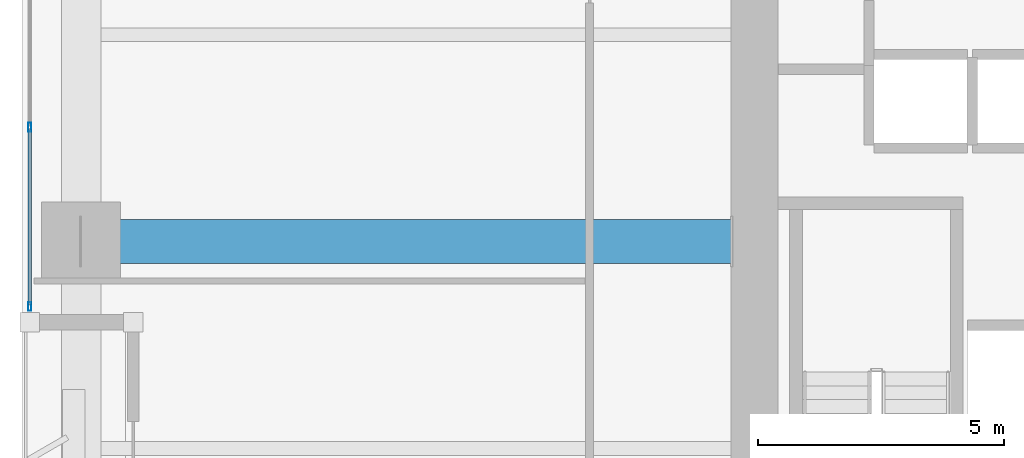
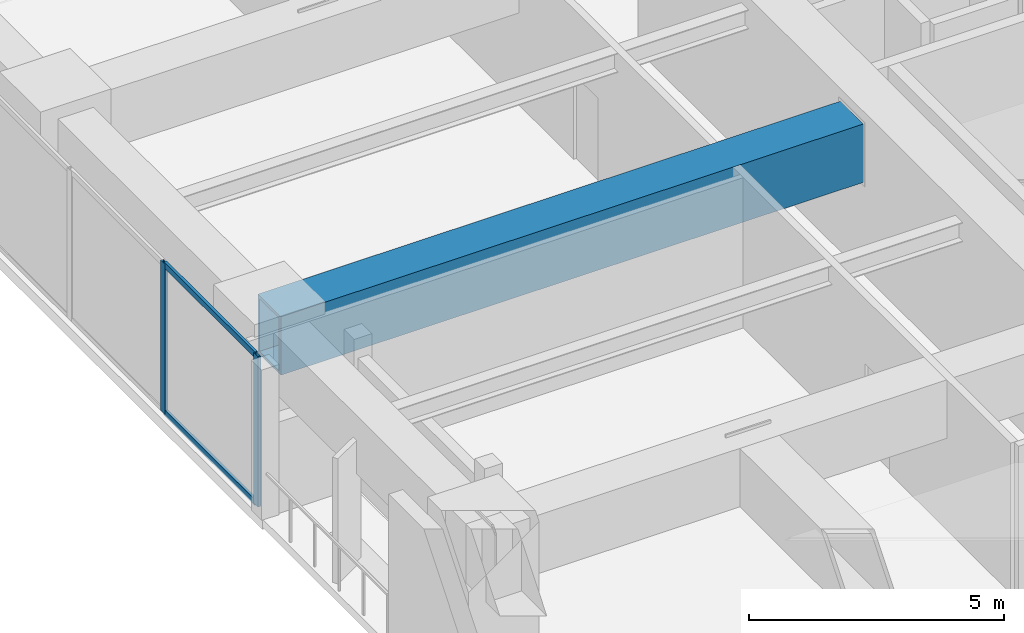
# One storey, part 2 of 28: 4 members, 1 beam, 1 element without a shape of its own.
"""IFC4 building model written with IfcOpenShell, lengths in metres."""

from ifc_helpers import new_model, si_unit, direction, frame, origin, origin_2d, place, context, subcontext, project, spatial, hollow_rectangle, extrude, material, layer, layer_set, material_profile, profile_set, type_object, element, aggregate, save


model = new_model("IFC4")

# Units and contexts
model_context = context("Model", 3, precision=1e-05, world=origin(), true_north=direction((0.0, 1.0)))
body_context = subcontext(model_context, "Body", "Model", "MODEL_VIEW")
ifc_project = project(units=[si_unit("LENGTHUNIT", "METRE"), si_unit("AREAUNIT", "SQUARE_METRE"), si_unit("VOLUMEUNIT", "CUBIC_METRE"), si_unit("PLANEANGLEUNIT", "RADIAN"), si_unit("MASSUNIT", "GRAM", prefix="KILO")], contexts=[model_context])

# Site, building, storey
site_placement = place(None, origin())
site = spatial("IfcSite", under=ifc_project, at=site_placement, CompositionType="ELEMENT")
building_placement = place(site_placement, origin())
building = spatial("IfcBuilding", under=site, at=building_placement, Name="Kiyonajd Concourse Tower", CompositionType="ELEMENT")
storey_placement = place(building_placement, frame((0.0, 0.0, 76.800048828125)))
storey = spatial("IfcBuildingStorey", under=building, at=storey_placement, Name="L20", CompositionType="ELEMENT", Elevation=76.800048828125)

# Beam
ifc_material_1 = material(Name="Steel ASTM A572 Grade 50", Category="steel")
ifc_material_profile_1 = material_profile(ifc_material_1, hollow_rectangle(XDim=0.89990234375, YDim=1.39990234375, WallThickness=0.070068359375, at=origin_2d()), Name="BOX-1400x900x70")
ifc_profile_set_1 = profile_set([ifc_material_profile_1], Name="Steel ASTM A572 Grade 50")
beam_type = type_object("IfcBeamType", Name="BM-XFER-1400", PredefinedType="BEAM", material=ifc_profile_set_1)
beam_placement = place(storey_placement, frame((19.199951171875, 36.0, 2.89990234375), z_axis=(1.0, 0.0, 0.0), x_axis=(0.0, 1.0, 0.0)))
element("IfcBeam", 1, at=beam_placement, inside=storey, type_object=beam_type, Name="L20 West Lease Girder", PredefinedType="BEAM", context=body_context, shape_type="SweptSolid", body=[
    extrude(hollow_rectangle(XDim=0.89990234375, YDim=1.39990234375, WallThickness=0.070068359375, at=origin_2d()), origin(), (0.0, 0.0, 1.0), 13.199951171875),
])

# Curtain wall, members
ifc_material_2 = material(Name="Thermally Broken Anodised Aluminium", Category="aluminium")
ifc_layer = layer(ifc_material_2, 0.179931640625)
ifc_layer_set = layer_set([ifc_layer], Name="Thermally Broken Anodised Aluminium")
curtain_wall_type = type_object("IfcCurtainWallType", Name="CW-SYS-02", PredefinedType="NOTDEFINED", material=ifc_layer_set)
curtain_wall_placement = place(storey_placement, origin())
curtain_wall = element("IfcCurtainWall", 2, at=curtain_wall_placement, inside=storey, type_object=curtain_wall_type, Name="L20 Unitised Curtain Wall CW2", PredefinedType="NOTDEFINED")
ifc_material_profile_2 = material_profile(ifc_material_2, hollow_rectangle(XDim=0.06494140625, YDim=0.179931640625, WallThickness=0.00390625, at=origin_2d()), Name="MULL-65x180")
ifc_profile_set_2 = profile_set([ifc_material_profile_2], Name="Thermally Broken Anodised Aluminium")
member_type_1 = type_object("IfcMemberType", Name="MB-CW-MULL1", PredefinedType="MULLION", material=ifc_profile_set_2)
member_1_placement = place(storey_placement, frame((18.159912109375, 34.6826171875, 0.0), z_axis=(0.0, 0.0, 1.0), x_axis=(-1.0, 0.0, 0.0)))
member_1 = element("IfcMember", 3, at=member_1_placement, type_object=member_type_1, Name="CW2 mullion 1", PredefinedType="MULLION", context=body_context, shape_type="SweptSolid", body=[
    extrude(hollow_rectangle(XDim=0.06494140625, YDim=0.179931640625, WallThickness=0.00390625, at=origin_2d()), origin(), (0.0, 0.0, 1.0), 3.599853515625),
])
member_2_placement = place(storey_placement, frame((18.159912109375, 38.3232421875, 0.0), z_axis=(0.0, 0.0, 1.0), x_axis=(-1.0, 0.0, 0.0)))
member_2 = element("IfcMember", 4, at=member_2_placement, type_object=member_type_1, Name="CW2 mullion 2", PredefinedType="MULLION", context=body_context, shape_type="SweptSolid", body=[
    extrude(hollow_rectangle(XDim=0.06494140625, YDim=0.179931640625, WallThickness=0.00390625, at=origin_2d()), origin(), (0.0, 0.0, 1.0), 3.599853515625),
])
ifc_material_profile_3 = material_profile(ifc_material_2, hollow_rectangle(XDim=0.06494140625, YDim=0.139892578125, WallThickness=0.00390625, at=origin_2d()), Name="TRAN-65x140")
ifc_profile_set_3 = profile_set([ifc_material_profile_3], Name="Thermally Broken Anodised Aluminium")
member_type_2 = type_object("IfcMemberType", Name="MB-CW-TRAN1", PredefinedType="USERDEFINED", material=ifc_profile_set_3)
member_3_placement = place(storey_placement, frame((18.159912109375, 34.715087890625, 0.032470703125), z_axis=(0.0, 1.0, 0.0), x_axis=(-1.0, 0.0, 0.0)))
member_3 = element("IfcMember", 5, at=member_3_placement, type_object=member_type_2, Name="CW2 transom 1.1", ObjectType="TRANSOM", PredefinedType="USERDEFINED", context=body_context, shape_type="SweptSolid", body=[
    extrude(hollow_rectangle(XDim=0.06494140625, YDim=0.139892578125, WallThickness=0.00390625, at=origin_2d()), origin(), (0.0, 0.0, 1.0), 3.57568359375),
])
member_4_placement = place(storey_placement, frame((18.159912109375, 34.715087890625, 3.5673828125), z_axis=(0.0, 1.0, 0.0), x_axis=(-1.0, 0.0, 0.0)))
member_4 = element("IfcMember", 6, at=member_4_placement, type_object=member_type_2, Name="CW2 transom 1.2", ObjectType="TRANSOM", PredefinedType="USERDEFINED", context=body_context, shape_type="SweptSolid", body=[
    extrude(hollow_rectangle(XDim=0.06494140625, YDim=0.139892578125, WallThickness=0.00390625, at=origin_2d()), origin(), (0.0, 0.0, 1.0), 3.57568359375),
])
aggregate(curtain_wall, [member_1, member_2, member_3, member_4])

save(model, "model.ifc")
